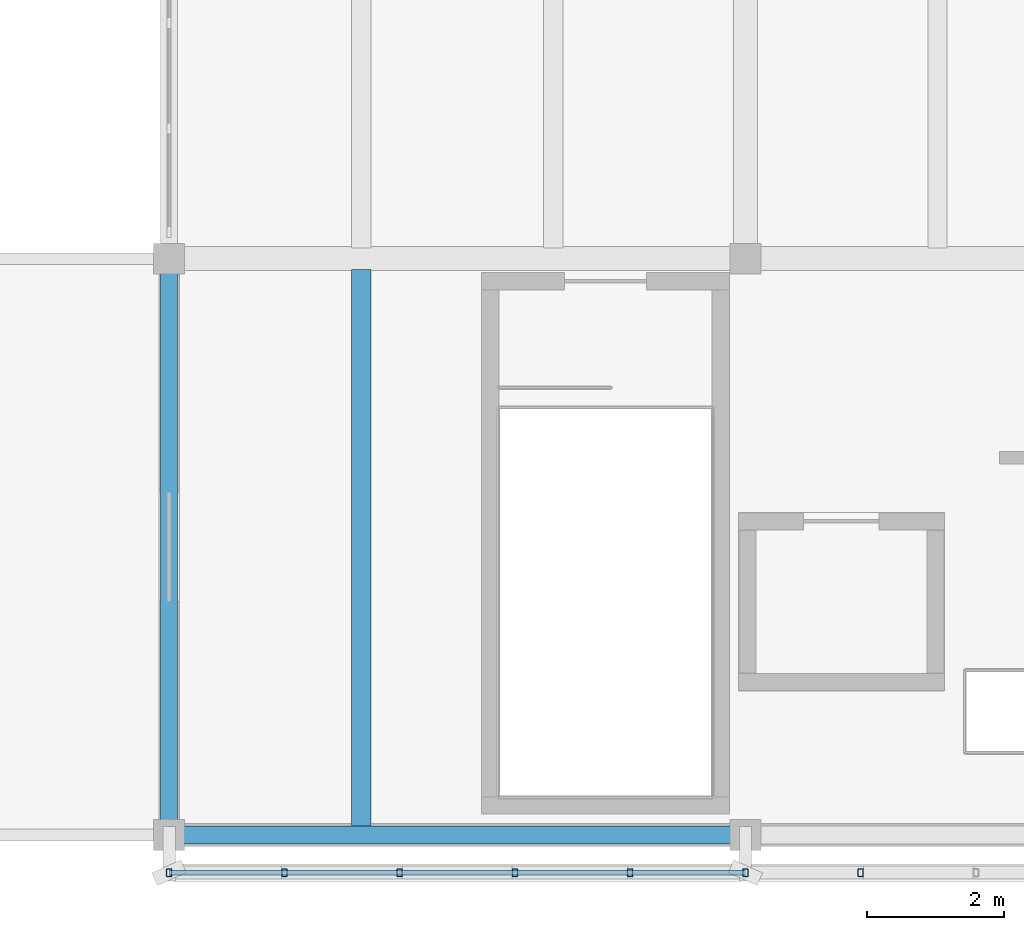
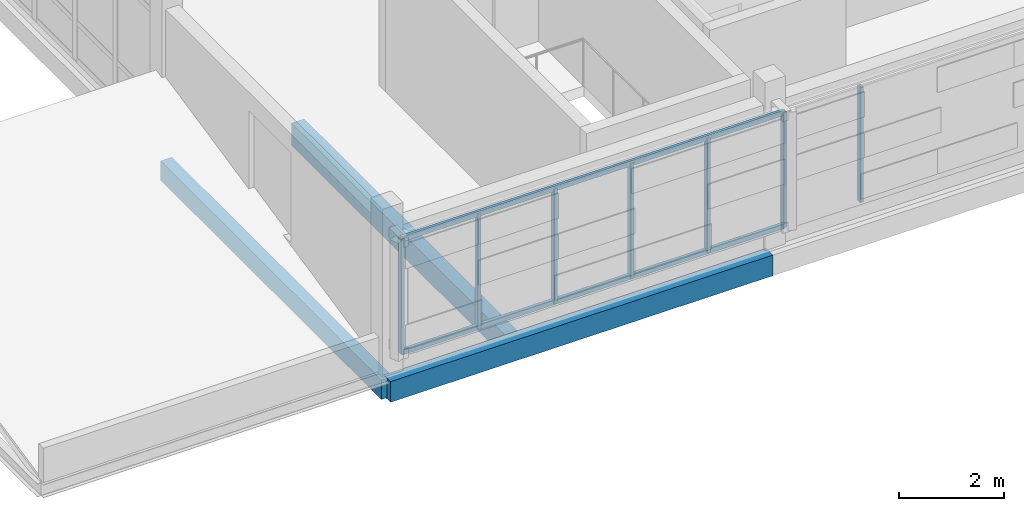
# One storey, part 9 of 117: 9 members, 3 beams.
"""IFC4 building model written with IfcOpenShell, lengths in metres."""

import ifcopenshell
import ifcopenshell.guid

model = None  # the IFC model being written
_history = None  # IfcOwnerHistory: only IFC2X3 demands one
_inside = {}  # id of a spatial element -> (the spatial element, [elements in it])
_under = {}  # id of a project, library or spatial element -> (it, [spatial elements below it])
_declared = {}  # id of a project -> (the project, [libraries it declares])
_typed = {}  # id of a type object -> (the type object, [elements of that type])
_made_of = {}  # id of a material, layer set ... -> (it, [elements and type objects made of it])


def new_model(schema):
    """Start an empty IFC model of exactly this schema.

    Asked for "IFC4X3", IfcOpenShell would pick the latest addendum, in which some entities
    have other attributes; the version numbers below select the first issue.
    IFC2X3 requires an IfcOwnerHistory on every rooted entity: one is made here for all.
    """
    global model, _history
    if schema == "IFC4X3":
        model = ifcopenshell.file(schema_version=(4, 3, 0, 0))
    else:
        model = ifcopenshell.file(schema=schema)
    _inside.clear()
    _under.clear()
    _declared.clear()
    _typed.clear()
    _made_of.clear()
    _history = None
    if model.schema == "IFC2X3":
        org = make("IfcOrganization", Name="unknown")
        user = make(
            "IfcPersonAndOrganization",
            ThePerson=make("IfcPerson", FamilyName="unknown"),
            TheOrganization=org,
        )
        app = make(
            "IfcApplication",
            ApplicationDeveloper=org,
            Version="unknown",
            ApplicationFullName="unknown",
            ApplicationIdentifier="unknown",
        )
        _history = make(
            "IfcOwnerHistory",
            OwningUser=user,
            OwningApplication=app,
            ChangeAction="ADDED",
            CreationDate=0,
        )
    return model


def make(cls, **values):
    """One entity of the class cls with the attributes given. An attribute that is None is left unset."""
    return model.create_entity(
        cls, **{name: value for name, value in values.items() if value is not None}
    )


def rooted(cls, **values):
    """An entity with a GlobalId (a new one), such as an element, a storey or a relation."""
    return make(cls, GlobalId=ifcopenshell.guid.new(), OwnerHistory=_history, **values)


def si_unit(unit_type, name, prefix=None):
    """IfcSIUnit, for example si_unit("LENGTHUNIT", "METRE", prefix="MILLI")."""
    return make("IfcSIUnit", UnitType=unit_type, Prefix=prefix, Name=name)


def assignment(units):
    """IfcUnitAssignment: the units of a project."""
    return None if units is None else make("IfcUnitAssignment", Units=units)


def point(xyz):
    """IfcCartesianPoint."""
    return None if xyz is None else make("IfcCartesianPoint", Coordinates=xyz)


def direction(xyz):
    """IfcDirection."""
    return None if xyz is None else make("IfcDirection", DirectionRatios=xyz)


def frame(location, z_axis=None, x_axis=None):
    """IfcAxis2Placement3D, a coordinate frame: its origin and axes. An axis left out is left unset."""
    return make(
        "IfcAxis2Placement3D",
        Location=point(location),
        Axis=direction(z_axis),
        RefDirection=direction(x_axis),
    )


def frame_2d(location, x_axis=None):
    """IfcAxis2Placement2D, a coordinate frame in the plane: its origin and x axis."""
    return make(
        "IfcAxis2Placement2D", Location=point(location), RefDirection=direction(x_axis)
    )


def origin():
    """The frame at (0, 0, 0) with its axes left unset."""
    return frame((0.0, 0.0, 0.0))


def origin_2d():
    """The frame at (0, 0) in the plane with its x axis left unset."""
    return frame_2d((0.0, 0.0))


def place(relative_to, where):
    """IfcLocalPlacement: puts the frame where relative to a parent placement (None: the world)."""
    return make(
        "IfcLocalPlacement", PlacementRelTo=relative_to, RelativePlacement=where
    )


def context(
    kind, dimensions, precision=None, world=None, true_north=None, identifier=None
):
    """IfcGeometricRepresentationContext, for example the 3D "Model" context."""
    return make(
        "IfcGeometricRepresentationContext",
        ContextIdentifier=identifier,
        ContextType=kind,
        CoordinateSpaceDimension=dimensions,
        Precision=precision,
        WorldCoordinateSystem=world,
        TrueNorth=true_north,
    )


def subcontext(parent, identifier, kind, view, scale=None):
    """IfcGeometricRepresentationSubContext, for example "Body" below "Model"."""
    return make(
        "IfcGeometricRepresentationSubContext",
        ContextIdentifier=identifier,
        ContextType=kind,
        ParentContext=parent,
        TargetScale=scale,
        TargetView=view,
    )


def project(units=None, contexts=None):
    """IfcProject with its units and contexts."""
    return rooted(
        "IfcProject",
        Name="project",
        RepresentationContexts=contexts,
        UnitsInContext=assignment(units),
    )


def spatial(cls, under=None, at=None, **own):
    """A site, building, storey or space (cls), placed at a placement, below another one or the project."""
    s = rooted(cls, ObjectPlacement=at, **own)
    if under is not None:
        _under.setdefault(under.id(), (under, []))[1].append(s)
    return s


def profile(cls, at=None, kind="AREA", **sizes):
    """A parametric profile (cls). Its sizes go by their IFC names, for example OverallWidth=200.0."""
    return make(cls, ProfileType=kind, Position=at, **sizes)


def rectangle(**sizes):
    """IfcRectangleProfileDef."""
    return profile("IfcRectangleProfileDef", **sizes)


def hollow_rectangle(**sizes):
    """IfcRectangleHollowProfileDef."""
    return profile("IfcRectangleHollowProfileDef", **sizes)


def extrude(swept, where, along, depth):
    """IfcExtrudedAreaSolid: the profile swept, set in the frame where, extruded along a direction by depth."""
    return make(
        "IfcExtrudedAreaSolid",
        SweptArea=swept,
        Position=where,
        ExtrudedDirection=direction(along),
        Depth=depth,
    )


def shape(context_of_items, identifier, shape_type, items):
    """IfcShapeRepresentation: the items that make up one representation, for example the "Body"."""
    return make(
        "IfcShapeRepresentation",
        ContextOfItems=context_of_items,
        RepresentationIdentifier=identifier,
        RepresentationType=shape_type,
        Items=items,
    )


def material(Name=None, Category=None):
    """IfcMaterial."""
    return make("IfcMaterial", Name=Name, Category=Category)


def material_profile(
    of_material, cross_section, Name=None, Category=None, Priority=None
):
    """IfcMaterialProfile: a cross section and its material."""
    return make(
        "IfcMaterialProfile",
        Name=Name,
        Material=of_material,
        Profile=cross_section,
        Priority=Priority,
        Category=Category,
    )


def profile_set(profiles, Name=None, composite=None):
    """IfcMaterialProfileSet."""
    return make(
        "IfcMaterialProfileSet",
        Name=Name,
        MaterialProfiles=profiles,
        CompositeProfile=composite,
    )


def made_of(thing, what):
    """Note that an element or type object is made of a material, layer set ...; save() writes the relation."""
    if what is not None:
        _made_of.setdefault(what.id(), (what, []))[1].append(thing)
    return thing


def type_object(cls, material=None, **own):
    """A type object (cls), such as IfcWallType, which elements share."""
    return made_of(rooted(cls, **own), material)


def element(
    cls,
    number,
    at=None,
    inside=None,
    cuts=None,
    type_object=None,
    material=None,
    context=None,
    identifier="Body",
    shape_type=None,
    held_by="IfcProductDefinitionShape",
    body=None,
    shapes=None,
    **own,
):
    """One element of the class cls, such as IfcWall. Its Tag is "e" and its number.

    at: its placement. inside: the storey or other place that contains it. cuts: it is an
    opening in that element (IfcRelVoidsElement). A single representation is given by context,
    identifier, shape_type and body (its items); several are given by shapes. held_by: the class
    of the entity that holds the representations. save() writes the other relations.
    """
    e = rooted(cls, Tag="e%d" % number, ObjectPlacement=at, **own)
    if body is not None:
        shapes = [shape(context, identifier, shape_type, body)]
    if shapes is not None:
        e.Representation = make(held_by, Representations=shapes)
    if inside is not None:
        _inside.setdefault(inside.id(), (inside, []))[1].append(e)
    if cuts is not None:
        rooted(
            "IfcRelVoidsElement", RelatingBuildingElement=cuts, RelatedOpeningElement=e
        )
    if type_object is not None:
        _typed.setdefault(type_object.id(), (type_object, []))[1].append(e)
    return made_of(e, material)


def aggregate(whole, parts):
    """IfcRelAggregates: a whole, such as a stair, and the parts it consists of."""
    return rooted("IfcRelAggregates", RelatingObject=whole, RelatedObjects=parts)


def save(model, path):
    """Write the relations noted so far, then the file.

    IfcRelAggregates (storeys below a building ...), IfcRelContainedInSpatialStructure (elements
    in a storey), IfcRelDefinesByType, IfcRelAssociatesMaterial and IfcRelDeclares: one each for
    every whole, place, type object, material and project.
    """
    for whole, parts in _under.values():
        aggregate(whole, parts)
    for where, things in _inside.values():
        rooted(
            "IfcRelContainedInSpatialStructure",
            RelatedElements=things,
            RelatingStructure=where,
        )
    for kind, things in _typed.values():
        rooted("IfcRelDefinesByType", RelatedObjects=things, RelatingType=kind)
    for what, things in _made_of.values():
        rooted("IfcRelAssociatesMaterial", RelatedObjects=things, RelatingMaterial=what)
    for by, libraries in _declared.values():
        rooted("IfcRelDeclares", RelatingContext=by, RelatedDefinitions=libraries)
    model.write(path)


model = new_model("IFC4")

# Units and contexts
model_context = context("Model", 3, precision=1e-05, world=origin(), true_north=direction((0.0, 1.0)))
body_context = subcontext(model_context, "Body", "Model", "MODEL_VIEW")
ifc_project = project(units=[si_unit("LENGTHUNIT", "METRE"), si_unit("AREAUNIT", "SQUARE_METRE"), si_unit("VOLUMEUNIT", "CUBIC_METRE"), si_unit("PLANEANGLEUNIT", "RADIAN"), si_unit("MASSUNIT", "GRAM", prefix="KILO")], contexts=[model_context])

# Site, building, storey
site_placement = place(None, origin())
site = spatial("IfcSite", under=ifc_project, at=site_placement, CompositionType="ELEMENT")
building_placement = place(site_placement, origin())
building = spatial("IfcBuilding", under=site, at=building_placement, Name="Cinderway Yard Community Centre", CompositionType="ELEMENT")
storey_placement = place(building_placement, frame((0.0, 0.0, 9.0)))
storey = spatial("IfcBuildingStorey", under=building, at=storey_placement, Name="L02", CompositionType="ELEMENT", Elevation=9.0)

# Members
ifc_material_1 = material(Name="Steel S355", Category="steel")
ifc_material_profile_1 = material_profile(ifc_material_1, hollow_rectangle(XDim=0.080078125, YDim=0.1201171875, WallThickness=0.00634765625, InnerFilletRadius=0.00634765625, OuterFilletRadius=0.0126953125, at=origin_2d()), Name="Steel S355")
ifc_profile_set_1 = profile_set([ifc_material_profile_1], Name="Steel S355")
member_type = type_object("IfcMemberType", Name="ENV-MEM-SCREEN-RAIL-120", PredefinedType="STRINGER", material=ifc_profile_set_1)
for number, where, z_axis, x_axis, name in (
    (1, (58.39990234375, 5.449951171875, 0.7099609375), (1.0, 0.0, 0.0), (0.0, 1.0, 0.0), "Screen support rail 0642-BOT"),
    (2, (58.39990234375, 5.449951171875, 3.340087890625), (1.0, 0.0, 0.0), (0.0, 1.0, 0.0), "Screen support rail 0643-TOP"),
):
    element("IfcMember", number, at=place(storey_placement, frame(where, z_axis=z_axis, x_axis=x_axis)), inside=storey, type_object=member_type, Name=name, PredefinedType="STRINGER", context=body_context, shape_type="SweptSolid", body=[
        extrude(hollow_rectangle(XDim=0.080078125, YDim=0.1201171875, WallThickness=0.00634765625, InnerFilletRadius=0.00634765625, OuterFilletRadius=0.0126953125, at=origin_2d()), origin(), (0.0, 0.0, 1.0), 8.400146484375),
    ])
for number, where, z_axis, x_axis, name in (
    (3, (58.39990234375, 5.449951171875, 0.68994140625), (0.0, 0.0, 1.0), (1.0, 0.0, 0.0), "Screen vertical mullion 0644"),
    (4, (60.080078125, 5.449951171875, 0.68994140625), (0.0, 0.0, 1.0), (1.0, 0.0, 0.0), "Screen vertical mullion 0645"),
    (5, (61.760009765625, 5.449951171875, 0.68994140625), (0.0, 0.0, 1.0), (1.0, 0.0, 0.0), "Screen vertical mullion 0646"),
    (6, (63.43994140625, 5.449951171875, 0.68994140625), (0.0, 0.0, 1.0), (1.0, 0.0, 0.0), "Screen vertical mullion 0647"),
    (7, (65.1201171875, 5.449951171875, 0.68994140625), (0.0, 0.0, 1.0), (1.0, 0.0, 0.0), "Screen vertical mullion 0648"),
    (8, (66.800048828125, 5.449951171875, 0.68994140625), (0.0, 0.0, 1.0), (1.0, 0.0, 0.0), "Screen vertical mullion 0649"),
    (9, (68.47998046875, 5.449951171875, 0.68994140625), (0.0, 0.0, 1.0), (1.0, 0.0, 0.0), "Screen vertical mullion 0653"),
):
    element("IfcMember", number, at=place(storey_placement, frame(where, z_axis=z_axis, x_axis=x_axis)), inside=storey, type_object=member_type, Name=name, PredefinedType="STRINGER", context=body_context, shape_type="SweptSolid", body=[
        extrude(hollow_rectangle(XDim=0.080078125, YDim=0.1201171875, WallThickness=0.00634765625, InnerFilletRadius=0.00634765625, OuterFilletRadius=0.0126953125, at=origin_2d()), origin(), (0.0, 0.0, 1.0), 2.670166015625),
    ])

# Beams
ifc_material_2 = material(Name="Concrete C40/50", Category="concrete")
ifc_material_profile_2 = material_profile(ifc_material_2, rectangle(XDim=0.25, YDim=0.449951171875, at=origin_2d()), Name="Concrete C40/50")
ifc_profile_set_2 = profile_set([ifc_material_profile_2], Name="Concrete C40/50")
beam_type_1 = type_object("IfcBeamType", Name="STR-BM-RC250X450", PredefinedType="SPANDREL", material=ifc_profile_set_2)
beam_1_placement = place(storey_placement, frame((58.39990234375, 6.0, -0.465087890625), z_axis=(0.0, 1.0, 0.0), x_axis=(-1.0, 0.0, 0.0)))
element("IfcBeam", 10, at=beam_1_placement, inside=storey, type_object=beam_type_1, Name="Transverse girder STR-BM-L02-SP02-0456", PredefinedType="SPANDREL", context=body_context, shape_type="SweptSolid", body=[
    extrude(rectangle(XDim=0.25, YDim=0.449951171875, at=origin_2d()), origin(), (0.0, 0.0, 1.0), 8.39990234375),
])
ifc_material_profile_3 = material_profile(ifc_material_2, rectangle(XDim=0.260009765625, YDim=0.47998046875, at=origin_2d()), Name="Concrete C40/50")
ifc_profile_set_3 = profile_set([ifc_material_profile_3], Name="Concrete C40/50")
beam_type_2 = type_object("IfcBeamType", Name="STR-BM-RC260X480", PredefinedType="SPANDREL", material=ifc_profile_set_3)
beam_2_placement = place(storey_placement, frame((58.39990234375, 6.0, -0.47998046875), z_axis=(1.0, 0.0, 0.0), x_axis=(0.0, 1.0, 0.0)))
element("IfcBeam", 11, at=beam_2_placement, inside=storey, type_object=beam_type_2, Name="Primary girder STR-BM-L02-SP01-0435", PredefinedType="SPANDREL", context=body_context, shape_type="SweptSolid", body=[
    extrude(rectangle(XDim=0.260009765625, YDim=0.47998046875, at=origin_2d()), origin(), (0.0, 0.0, 1.0), 8.400146484375),
])
ifc_material_3 = material(Name="Concrete C35/45", Category="concrete")
ifc_material_profile_4 = material_profile(ifc_material_3, rectangle(XDim=0.280029296875, YDim=0.52001953125, at=origin_2d()), Name="Concrete C35/45")
ifc_profile_set_4 = profile_set([ifc_material_profile_4], Name="Concrete C35/45")
beam_type_3 = type_object("IfcBeamType", Name="STR-BM-RC280X520", PredefinedType="JOIST", material=ifc_profile_set_4)
beam_3_placement = place(storey_placement, frame((61.199951171875, 6.112060546875, -0.5), z_axis=(0.0, 1.0, 0.0), x_axis=(-1.0, 0.0, 0.0)))
element("IfcBeam", 12, at=beam_3_placement, inside=storey, type_object=beam_type_3, Name="Secondary joist STR-BM-L02-BJ04-0471", PredefinedType="JOIST", context=body_context, shape_type="SweptSolid", body=[
    extrude(rectangle(XDim=0.280029296875, YDim=0.52001953125, at=origin_2d()), origin(), (0.0, 0.0, 1.0), 8.130859375),
])

save(model, "model.ifc")
